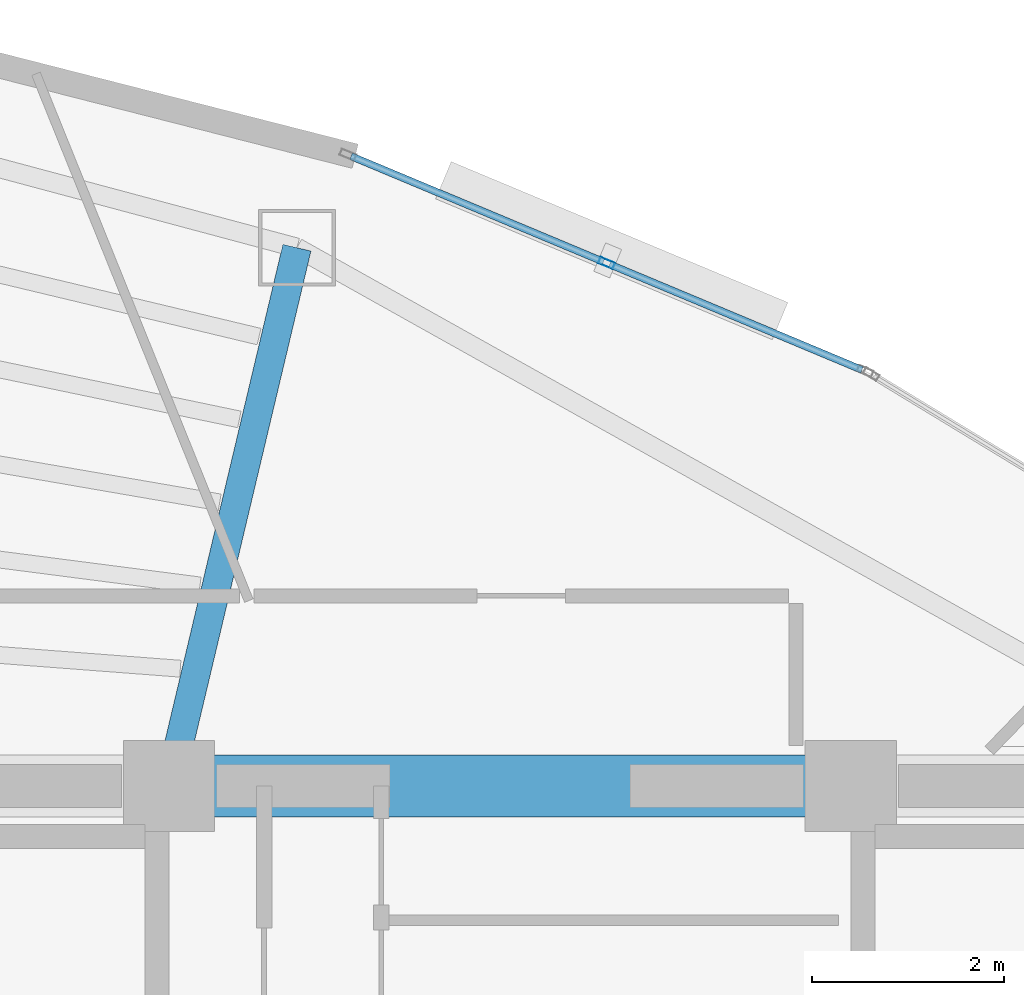
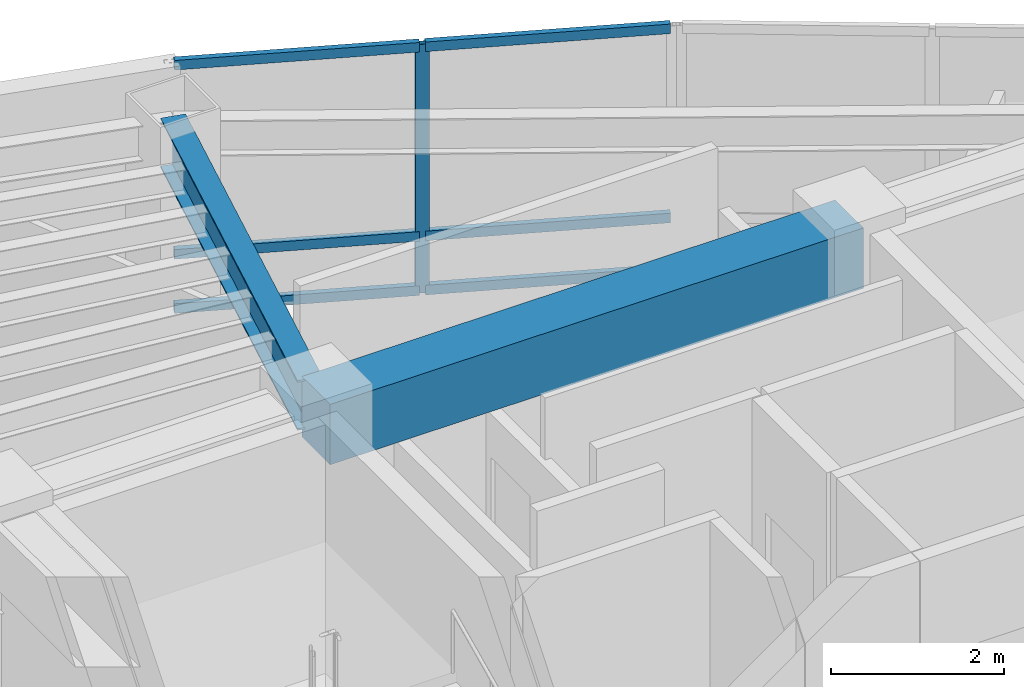
# One storey, part 8 of 15: 7 members, 2 beams, 1 element without a shape of its own.
"""IFC4 building model written with IfcOpenShell, lengths in metres."""

from ifc_helpers import new_model, si_unit, direction, frame, origin, origin_2d, place, context, subcontext, project, spatial, rectangle, hollow_rectangle, i_section, extrude, material, layer, layer_set, material_profile, profile_set, type_object, element, aggregate, save


model = new_model("IFC4")

# Units and contexts
model_context = context("Model", 3, precision=1e-05, world=origin(), true_north=direction((0.0, 1.0)))
body_context = subcontext(model_context, "Body", "Model", "MODEL_VIEW")
ifc_project = project(units=[si_unit("LENGTHUNIT", "METRE"), si_unit("AREAUNIT", "SQUARE_METRE"), si_unit("VOLUMEUNIT", "CUBIC_METRE"), si_unit("PLANEANGLEUNIT", "RADIAN"), si_unit("MASSUNIT", "GRAM", prefix="KILO")], contexts=[model_context])

# Site, building, storey
site_placement = place(None, origin())
site = spatial("IfcSite", under=ifc_project, at=site_placement, CompositionType="ELEMENT")
building_placement = place(site_placement, origin())
building = spatial("IfcBuilding", under=site, at=building_placement, Name="Menara Vayukalpa", CompositionType="ELEMENT")
storey_placement = place(building_placement, frame((0.0, 0.0, 265.739990234375)))
storey = spatial("IfcBuildingStorey", under=building, at=storey_placement, Name="L67", CompositionType="ELEMENT", Elevation=265.739990234375)

# Beams
ifc_material_1 = material(Name="Concrete C60/75", Category="concrete")
ifc_material_profile_1 = material_profile(ifc_material_1, rectangle(XDim=0.64990234375, YDim=0.85009765625, at=origin_2d()), Name="RC 650x850")
ifc_profile_set_1 = profile_set([ifc_material_profile_1], Name="Concrete C60/75")
beam_type_1 = type_object("IfcBeamType", Name="BM-CB1", PredefinedType="BEAM", material=ifc_profile_set_1)
beam_1_placement = place(storey_placement, frame((22.050048828125, 26.800048828125, 3.074951171875), z_axis=(1.0, 0.0, 0.0), x_axis=(0.0, 1.0, 0.0)))
element("IfcBeam", 1, at=beam_1_placement, inside=storey, type_object=beam_type_1, Name="L67 Core Tie Beam CBR5", PredefinedType="BEAM", context=body_context, shape_type="SweptSolid", body=[
    extrude(rectangle(XDim=0.64990234375, YDim=0.85009765625, at=origin_2d()), origin(), (0.0, 0.0, 1.0), 7.099853515625),
])
ifc_material_2 = material(Name="Steel S355", Category="steel")
ifc_material_profile_2 = material_profile(ifc_material_2, i_section(OverallWidth=0.300048828125, OverallDepth=0.699951171875, WebThickness=0.012939453125, FlangeThickness=0.02392578125, at=origin_2d()), Name="WF 700x300x13x24")
ifc_profile_set_2 = profile_set([ifc_material_profile_2], Name="Steel S355")
beam_type_2 = type_object("IfcBeamType", Name="BM-PG5", PredefinedType="BEAM", material=ifc_profile_set_2)
beam_2_placement = place(storey_placement, frame((22.10791015625, 27.043212890625, 3.14990234375), z_axis=(0.231167310854, 0.972914011818, 0.0), x_axis=(-0.972914011818, 0.231167310854, 0.0)))
element("IfcBeam", 2, at=beam_2_placement, inside=storey, type_object=beam_type_2, Name="L67 Primary Radial Girder RG03", PredefinedType="BEAM", context=body_context, shape_type="SweptSolid", body=[
    extrude(i_section(OverallWidth=0.300048828125, OverallDepth=0.699951171875, WebThickness=0.012939453125, FlangeThickness=0.02392578125, at=origin_2d()), origin(), (0.0, 0.0, 1.0), 5.5107421875),
])

# Curtain wall, members
ifc_material_3 = material(Name="Anodised Terracotta Aluminium Alloy 6063-T6", Category="masonry")
ifc_layer = layer(ifc_material_3, 0.1650390625)
ifc_layer_set = layer_set([ifc_layer], Name="Anodised Terracotta Aluminium Alloy 6063-T6")
curtain_wall_type = type_object("IfcCurtainWallType", Name="CW-CW6", PredefinedType="USERDEFINED", material=ifc_layer_set)
curtain_wall_placement = place(storey_placement, origin())
curtain_wall = element("IfcCurtainWall", 3, at=curtain_wall_placement, inside=storey, type_object=curtain_wall_type, Name="L67 Observation and Executive Curtain Wall CW6 05", ObjectType="UNITISED", PredefinedType="USERDEFINED")
ifc_material_4 = material(Name="Anodised Terracotta Aluminium Alloy 6063-T6", Category="masonry")
ifc_material_profile_3 = material_profile(ifc_material_4, hollow_rectangle(XDim=0.070068359375, YDim=0.1650390625, WallThickness=0.00390625, at=origin_2d()), Name="ALU 70x165x4")
ifc_profile_set_3 = profile_set([ifc_material_profile_3], Name="Anodised Terracotta Aluminium Alloy 6063-T6")
member_type_1 = type_object("IfcMemberType", Name="CWM-CW6", PredefinedType="MULLION", material=ifc_profile_set_3)
member_1_placement = place(storey_placement, frame((26.60595703125, 32.2451171875, 0.0), z_axis=(0.0, 0.0, 1.0), x_axis=(-0.385899911703, -0.922540653927, 0.0)))
member_1 = element("IfcMember", 4, at=member_1_placement, type_object=member_type_1, Name="CW6 mullion 2", PredefinedType="MULLION", context=body_context, shape_type="SweptSolid", body=[
    extrude(hollow_rectangle(XDim=0.070068359375, YDim=0.1650390625, WallThickness=0.00390625, at=origin_2d()), origin(), (0.0, 0.0, 1.0), 3.5),
])
ifc_material_5 = material(Name="Anodised Terracotta Aluminium Alloy 6063-T6", Category="masonry")
ifc_material_profile_4 = material_profile(ifc_material_5, hollow_rectangle(XDim=0.074951171875, YDim=0.135009765625, WallThickness=0.00390625, at=origin_2d()), Name="ALU 75x135x4")
ifc_profile_set_4 = profile_set([ifc_material_profile_4], Name="Anodised Terracotta Aluminium Alloy 6063-T6")
member_type_2 = type_object("IfcMemberType", Name="CWT-CW6", PredefinedType="USERDEFINED", material=ifc_profile_set_4)
member_2_placement = place(storey_placement, frame((29.266357421875, 31.13232421875, 0.03759765625), z_axis=(-0.922528286758, 0.385929475592, 0.0), x_axis=(-0.385929475592, -0.922528286758, 0.0)))
member_2 = element("IfcMember", 5, at=member_2_placement, type_object=member_type_2, Name="CW6 transom 1.1", ObjectType="TRANSOM", PredefinedType="USERDEFINED", context=body_context, shape_type="SweptSolid", body=[
    extrude(hollow_rectangle(XDim=0.074951171875, YDim=0.135009765625, WallThickness=0.00390625, at=origin_2d()), origin(), (0.0, 0.0, 1.0), 2.8486328125),
])
member_3_placement = place(storey_placement, frame((29.266357421875, 31.13232421875, 0.800048828125), z_axis=(-0.922528286758, 0.385929475592, 0.0), x_axis=(-0.385929475592, -0.922528286758, 0.0)))
member_3 = element("IfcMember", 6, at=member_3_placement, type_object=member_type_2, Name="CW6 transom 1.2", ObjectType="TRANSOM", PredefinedType="USERDEFINED", context=body_context, shape_type="SweptSolid", body=[
    extrude(hollow_rectangle(XDim=0.074951171875, YDim=0.135009765625, WallThickness=0.00390625, at=origin_2d()), origin(), (0.0, 0.0, 1.0), 2.8486328125),
])
member_4_placement = place(storey_placement, frame((29.266357421875, 31.13232421875, 3.46240234375), z_axis=(-0.922528286758, 0.385929475592, 0.0), x_axis=(-0.385929475592, -0.922528286758, 0.0)))
member_4 = element("IfcMember", 7, at=member_4_placement, type_object=member_type_2, Name="CW6 transom 1.3", ObjectType="TRANSOM", PredefinedType="USERDEFINED", context=body_context, shape_type="SweptSolid", body=[
    extrude(hollow_rectangle(XDim=0.074951171875, YDim=0.135009765625, WallThickness=0.00390625, at=origin_2d()), origin(), (0.0, 0.0, 1.0), 2.8486328125),
])
member_5_placement = place(storey_placement, frame((26.57373046875, 32.258544921875, 0.03759765625), z_axis=(-0.922541050276, 0.38589896418, 0.0), x_axis=(-0.38589896418, -0.922541050276, 0.0)))
member_5 = element("IfcMember", 8, at=member_5_placement, type_object=member_type_2, Name="CW6 transom 2.1", ObjectType="TRANSOM", PredefinedType="USERDEFINED", context=body_context, shape_type="SweptSolid", body=[
    extrude(hollow_rectangle(XDim=0.074951171875, YDim=0.135009765625, WallThickness=0.00390625, at=origin_2d()), origin(), (0.0, 0.0, 1.0), 2.848876953125),
])
member_6_placement = place(storey_placement, frame((26.57373046875, 32.258544921875, 0.800048828125), z_axis=(-0.922541050276, 0.38589896418, 0.0), x_axis=(-0.38589896418, -0.922541050276, 0.0)))
member_6 = element("IfcMember", 9, at=member_6_placement, type_object=member_type_2, Name="CW6 transom 2.2", ObjectType="TRANSOM", PredefinedType="USERDEFINED", context=body_context, shape_type="SweptSolid", body=[
    extrude(hollow_rectangle(XDim=0.074951171875, YDim=0.135009765625, WallThickness=0.00390625, at=origin_2d()), origin(), (0.0, 0.0, 1.0), 2.848876953125),
])
member_7_placement = place(storey_placement, frame((26.57373046875, 32.258544921875, 3.46240234375), z_axis=(-0.922541050276, 0.38589896418, 0.0), x_axis=(-0.38589896418, -0.922541050276, 0.0)))
member_7 = element("IfcMember", 10, at=member_7_placement, type_object=member_type_2, Name="CW6 transom 2.3", ObjectType="TRANSOM", PredefinedType="USERDEFINED", context=body_context, shape_type="SweptSolid", body=[
    extrude(hollow_rectangle(XDim=0.074951171875, YDim=0.135009765625, WallThickness=0.00390625, at=origin_2d()), origin(), (0.0, 0.0, 1.0), 2.848876953125),
])
aggregate(curtain_wall, [member_1, member_2, member_3, member_4, member_5, member_6, member_7])

save(model, "model.ifc")
